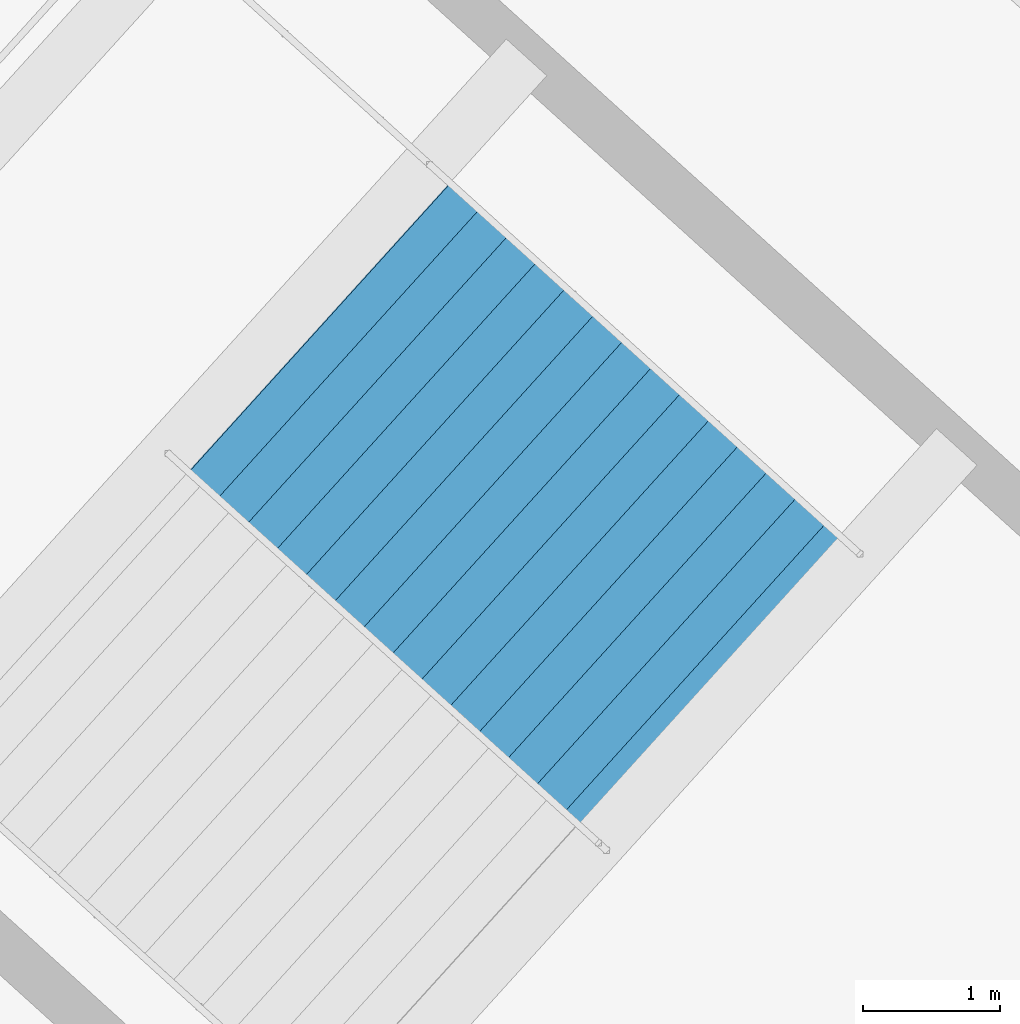
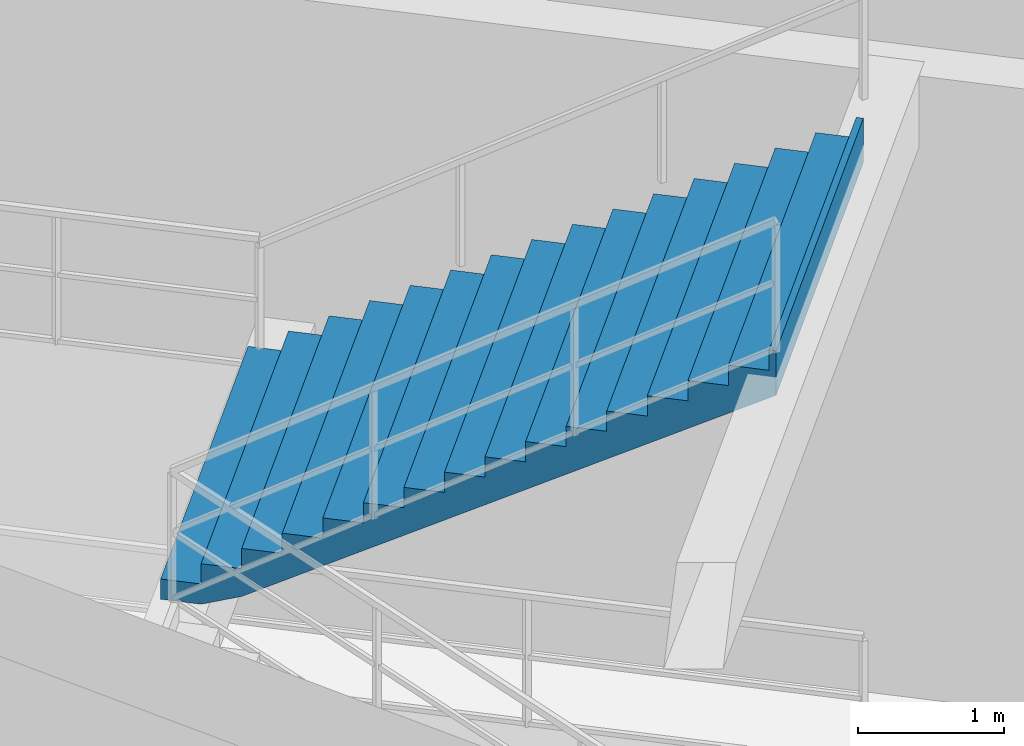
# One storey, part 159 of 162: 1 stair flight, 1 element without a shape of its own.
"""IFC4 building model written with IfcOpenShell, lengths in metres."""

import ifcopenshell
import ifcopenshell.guid

model = None  # the IFC model being written
_history = None  # IfcOwnerHistory: only IFC2X3 demands one
_inside = {}  # id of a spatial element -> (the spatial element, [elements in it])
_under = {}  # id of a project, library or spatial element -> (it, [spatial elements below it])
_declared = {}  # id of a project -> (the project, [libraries it declares])
_typed = {}  # id of a type object -> (the type object, [elements of that type])
_made_of = {}  # id of a material, layer set ... -> (it, [elements and type objects made of it])


def new_model(schema):
    """Start an empty IFC model of exactly this schema.

    Asked for "IFC4X3", IfcOpenShell would pick the latest addendum, in which some entities
    have other attributes; the version numbers below select the first issue.
    IFC2X3 requires an IfcOwnerHistory on every rooted entity: one is made here for all.
    """
    global model, _history
    if schema == "IFC4X3":
        model = ifcopenshell.file(schema_version=(4, 3, 0, 0))
    else:
        model = ifcopenshell.file(schema=schema)
    _inside.clear()
    _under.clear()
    _declared.clear()
    _typed.clear()
    _made_of.clear()
    _history = None
    if model.schema == "IFC2X3":
        org = make("IfcOrganization", Name="unknown")
        user = make(
            "IfcPersonAndOrganization",
            ThePerson=make("IfcPerson", FamilyName="unknown"),
            TheOrganization=org,
        )
        app = make(
            "IfcApplication",
            ApplicationDeveloper=org,
            Version="unknown",
            ApplicationFullName="unknown",
            ApplicationIdentifier="unknown",
        )
        _history = make(
            "IfcOwnerHistory",
            OwningUser=user,
            OwningApplication=app,
            ChangeAction="ADDED",
            CreationDate=0,
        )
    return model


def make(cls, **values):
    """One entity of the class cls with the attributes given. An attribute that is None is left unset."""
    return model.create_entity(
        cls, **{name: value for name, value in values.items() if value is not None}
    )


def rooted(cls, **values):
    """An entity with a GlobalId (a new one), such as an element, a storey or a relation."""
    return make(cls, GlobalId=ifcopenshell.guid.new(), OwnerHistory=_history, **values)


def si_unit(unit_type, name, prefix=None):
    """IfcSIUnit, for example si_unit("LENGTHUNIT", "METRE", prefix="MILLI")."""
    return make("IfcSIUnit", UnitType=unit_type, Prefix=prefix, Name=name)


def assignment(units):
    """IfcUnitAssignment: the units of a project."""
    return None if units is None else make("IfcUnitAssignment", Units=units)


def point(xyz):
    """IfcCartesianPoint."""
    return None if xyz is None else make("IfcCartesianPoint", Coordinates=xyz)


def direction(xyz):
    """IfcDirection."""
    return None if xyz is None else make("IfcDirection", DirectionRatios=xyz)


def frame(location, z_axis=None, x_axis=None):
    """IfcAxis2Placement3D, a coordinate frame: its origin and axes. An axis left out is left unset."""
    return make(
        "IfcAxis2Placement3D",
        Location=point(location),
        Axis=direction(z_axis),
        RefDirection=direction(x_axis),
    )


def origin():
    """The frame at (0, 0, 0) with its axes left unset."""
    return frame((0.0, 0.0, 0.0))


def place(relative_to, where):
    """IfcLocalPlacement: puts the frame where relative to a parent placement (None: the world)."""
    return make(
        "IfcLocalPlacement", PlacementRelTo=relative_to, RelativePlacement=where
    )


def context(
    kind, dimensions, precision=None, world=None, true_north=None, identifier=None
):
    """IfcGeometricRepresentationContext, for example the 3D "Model" context."""
    return make(
        "IfcGeometricRepresentationContext",
        ContextIdentifier=identifier,
        ContextType=kind,
        CoordinateSpaceDimension=dimensions,
        Precision=precision,
        WorldCoordinateSystem=world,
        TrueNorth=true_north,
    )


def subcontext(parent, identifier, kind, view, scale=None):
    """IfcGeometricRepresentationSubContext, for example "Body" below "Model"."""
    return make(
        "IfcGeometricRepresentationSubContext",
        ContextIdentifier=identifier,
        ContextType=kind,
        ParentContext=parent,
        TargetScale=scale,
        TargetView=view,
    )


def project(units=None, contexts=None):
    """IfcProject with its units and contexts."""
    return rooted(
        "IfcProject",
        Name="project",
        RepresentationContexts=contexts,
        UnitsInContext=assignment(units),
    )


def spatial(cls, under=None, at=None, **own):
    """A site, building, storey or space (cls), placed at a placement, below another one or the project."""
    s = rooted(cls, ObjectPlacement=at, **own)
    if under is not None:
        _under.setdefault(under.id(), (under, []))[1].append(s)
    return s


def point_list(points):
    """IfcCartesianPointList2D or 3D."""
    cls = (
        "IfcCartesianPointList2D" if len(points[0]) == 2 else "IfcCartesianPointList3D"
    )
    return make(cls, CoordList=points)


def polygons(points, faces, closed=None, point_numbers=None):
    """IfcPolygonalFaceSet: a face is its outer loop, then its inner loops; points numbered from 1."""
    made = []
    for loops in faces:
        if len(loops) == 1:
            made.append(make("IfcIndexedPolygonalFace", CoordIndex=loops[0]))
        else:
            made.append(
                make(
                    "IfcIndexedPolygonalFaceWithVoids",
                    CoordIndex=loops[0],
                    InnerCoordIndices=loops[1:],
                )
            )
    return make(
        "IfcPolygonalFaceSet",
        Coordinates=point_list(points),
        Closed=closed,
        Faces=made,
        PnIndex=point_numbers,
    )


def shape(context_of_items, identifier, shape_type, items):
    """IfcShapeRepresentation: the items that make up one representation, for example the "Body"."""
    return make(
        "IfcShapeRepresentation",
        ContextOfItems=context_of_items,
        RepresentationIdentifier=identifier,
        RepresentationType=shape_type,
        Items=items,
    )


def material(Name=None, Category=None):
    """IfcMaterial."""
    return make("IfcMaterial", Name=Name, Category=Category)


def made_of(thing, what):
    """Note that an element or type object is made of a material, layer set ...; save() writes the relation."""
    if what is not None:
        _made_of.setdefault(what.id(), (what, []))[1].append(thing)
    return thing


def type_object(cls, material=None, **own):
    """A type object (cls), such as IfcWallType, which elements share."""
    return made_of(rooted(cls, **own), material)


def element(
    cls,
    number,
    at=None,
    inside=None,
    cuts=None,
    type_object=None,
    material=None,
    context=None,
    identifier="Body",
    shape_type=None,
    held_by="IfcProductDefinitionShape",
    body=None,
    shapes=None,
    **own,
):
    """One element of the class cls, such as IfcWall. Its Tag is "e" and its number.

    at: its placement. inside: the storey or other place that contains it. cuts: it is an
    opening in that element (IfcRelVoidsElement). A single representation is given by context,
    identifier, shape_type and body (its items); several are given by shapes. held_by: the class
    of the entity that holds the representations. save() writes the other relations.
    """
    e = rooted(cls, Tag="e%d" % number, ObjectPlacement=at, **own)
    if body is not None:
        shapes = [shape(context, identifier, shape_type, body)]
    if shapes is not None:
        e.Representation = make(held_by, Representations=shapes)
    if inside is not None:
        _inside.setdefault(inside.id(), (inside, []))[1].append(e)
    if cuts is not None:
        rooted(
            "IfcRelVoidsElement", RelatingBuildingElement=cuts, RelatedOpeningElement=e
        )
    if type_object is not None:
        _typed.setdefault(type_object.id(), (type_object, []))[1].append(e)
    return made_of(e, material)


def aggregate(whole, parts):
    """IfcRelAggregates: a whole, such as a stair, and the parts it consists of."""
    return rooted("IfcRelAggregates", RelatingObject=whole, RelatedObjects=parts)


def save(model, path):
    """Write the relations noted so far, then the file.

    IfcRelAggregates (storeys below a building ...), IfcRelContainedInSpatialStructure (elements
    in a storey), IfcRelDefinesByType, IfcRelAssociatesMaterial and IfcRelDeclares: one each for
    every whole, place, type object, material and project.
    """
    for whole, parts in _under.values():
        aggregate(whole, parts)
    for where, things in _inside.values():
        rooted(
            "IfcRelContainedInSpatialStructure",
            RelatedElements=things,
            RelatingStructure=where,
        )
    for kind, things in _typed.values():
        rooted("IfcRelDefinesByType", RelatedObjects=things, RelatingType=kind)
    for what, things in _made_of.values():
        rooted("IfcRelAssociatesMaterial", RelatedObjects=things, RelatingMaterial=what)
    for by, libraries in _declared.values():
        rooted("IfcRelDeclares", RelatingContext=by, RelatedDefinitions=libraries)
    model.write(path)


model = new_model("IFC4")

# Units and contexts
model_context = context("Model", 3, precision=1e-05, world=origin(), true_north=direction((0.0, 1.0)))
body_context = subcontext(model_context, "Body", "Model", "MODEL_VIEW")
ifc_project = project(units=[si_unit("LENGTHUNIT", "METRE"), si_unit("AREAUNIT", "SQUARE_METRE"), si_unit("VOLUMEUNIT", "CUBIC_METRE"), si_unit("PLANEANGLEUNIT", "RADIAN"), si_unit("MASSUNIT", "GRAM", prefix="KILO")], contexts=[model_context])

# Site, building, storey
site_placement = place(None, origin())
site = spatial("IfcSite", under=ifc_project, at=site_placement, CompositionType="ELEMENT")
building_placement = place(site_placement, origin())
building = spatial("IfcBuilding", under=site, at=building_placement, Name="Kazemori Nagisa Stadium", CompositionType="ELEMENT")
storey_placement = place(building_placement, frame((0.0, 0.0, 36.719970703125)))
storey = spatial("IfcBuildingStorey", under=building, at=storey_placement, Name="RF", CompositionType="ELEMENT", Elevation=36.719970703125)

# Stair, stair flight
ifc_material = material(Name="Concrete C36/45 (Fc36)", Category="concrete")
stair_type = type_object("IfcStairType", Name="Stair_CORE_32", PredefinedType="TWO_STRAIGHT_RUN_STAIR", material=ifc_material)
stair_placement = place(storey_placement, origin())
stair = element("IfcStair", 1, at=stair_placement, inside=storey, type_object=stair_type, Name="Exit stair ST01 RF", PredefinedType="TWO_STRAIGHT_RUN_STAIR")
stair_flight_type = type_object("IfcStairFlightType", Name="Flight_CORE_16", PredefinedType="STRAIGHT", material=ifc_material)
stair_flight_placement = place(storey_placement, frame((190.5390625, 161.406005859375, 2.719970703125), z_axis=(0.0, 0.0, 1.0), x_axis=(0.741357156534, -0.671110696127, 0.0)))
stair_flight = element("IfcStairFlight", 2, at=stair_flight_placement, type_object=stair_flight_type, Name="Exit stair ST01 RF flight 2", NumberOfRisers=16, NumberOfTreads=15, PredefinedType="STRAIGHT", RiserHeight=0.17, TreadLength=0.285, context=body_context, shape_type="Tessellation", body=[
    polygons([(0.0, -1.425048828125, 0.0), (0.0, -1.425048828125, 0.169921875), (0.284912109375, -1.425048828125, 0.169921875), (0.284912109375, -1.425048828125, 0.340087890625), (0.570068359375, -1.425048828125, 0.340087890625), (0.570068359375, -1.425048828125, 0.510009765625), (0.85498046875, -1.425048828125, 0.510009765625), (0.85498046875, -1.425048828125, 0.679931640625), (1.139892578125, -1.425048828125, 0.679931640625), (1.139892578125, -1.425048828125, 0.85009765625), (1.425048828125, -1.425048828125, 0.85009765625), (1.425048828125, -1.425048828125, 1.02001953125), (1.7099609375, -1.425048828125, 1.02001953125), (1.7099609375, -1.425048828125, 1.18994140625), (1.9951171875, -1.425048828125, 1.18994140625), (1.9951171875, -1.425048828125, 1.360107421875), (2.280029296875, -1.425048828125, 1.360107421875), (2.280029296875, -1.425048828125, 1.530029296875), (2.56494140625, -1.425048828125, 1.530029296875), (2.56494140625, -1.425048828125, 1.699951171875), (2.85009765625, -1.425048828125, 1.699951171875), (2.85009765625, -1.425048828125, 1.8701171875), (3.135009765625, -1.425048828125, 1.8701171875), (3.135009765625, -1.425048828125, 2.0400390625), (3.419921875, -1.425048828125, 2.0400390625), (3.419921875, -1.425048828125, 2.2099609375), (3.705078125, -1.425048828125, 2.2099609375), (3.705078125, -1.425048828125, 2.3798828125), (3.989990234375, -1.425048828125, 2.3798828125), (3.989990234375, -1.425048828125, 2.550048828125), (4.27490234375, -1.425048828125, 2.550048828125), (4.27490234375, -1.425048828125, 2.719970703125), (4.324951171875, -1.425048828125, 2.719970703125), (4.324951171875, -1.425048828125, 2.346923828125), (4.27490234375, -1.425048828125, 2.317138671875), (3.989990234375, -1.425048828125, 2.147216796875), (3.705078125, -1.425048828125, 1.977294921875), (3.419921875, -1.425048828125, 1.80712890625), (3.135009765625, -1.425048828125, 1.63720703125), (2.85009765625, -1.425048828125, 1.46728515625), (2.56494140625, -1.425048828125, 1.297119140625), (2.280029296875, -1.425048828125, 1.127197265625), (1.9951171875, -1.425048828125, 0.957275390625), (1.7099609375, -1.425048828125, 0.787109375), (1.425048828125, -1.425048828125, 0.6171875), (1.139892578125, -1.425048828125, 0.447265625), (0.85498046875, -1.425048828125, 0.277099609375), (0.570068359375, -1.425048828125, 0.107177734375), (0.284912109375, -1.425048828125, 0.0), (0.0, -0.08544921875, 0.0), (0.0, -0.08544921875, 0.169921875), (0.284912109375, -0.08544921875, 0.169921875), (0.284912109375, -0.08544921875, 0.340087890625), (0.570068359375, -0.08544921875, 0.340087890625), (0.570068359375, -0.08544921875, 0.510009765625), (0.85498046875, -0.08544921875, 0.510009765625), (0.85498046875, -0.08544921875, 0.679931640625), (1.139892578125, -0.08544921875, 0.679931640625), (1.139892578125, -0.08544921875, 0.85009765625), (1.425048828125, -0.08544921875, 0.85009765625), (1.425048828125, -0.08544921875, 1.02001953125), (1.7099609375, -0.08544921875, 1.02001953125), (1.7099609375, -0.08544921875, 1.18994140625), (1.9951171875, -0.08544921875, 1.18994140625), (1.9951171875, -0.08544921875, 1.360107421875), (2.280029296875, -0.08544921875, 1.360107421875), (2.280029296875, -0.08544921875, 1.530029296875), (2.56494140625, -0.08544921875, 1.530029296875), (2.56494140625, -0.08544921875, 1.699951171875), (2.85009765625, -0.08544921875, 1.699951171875), (2.85009765625, -0.08544921875, 1.8701171875), (3.135009765625, -0.08544921875, 1.8701171875), (3.135009765625, -0.08544921875, 2.0400390625), (3.419921875, -0.08544921875, 2.0400390625), (3.419921875, -0.08544921875, 2.2099609375), (3.705078125, -0.08544921875, 2.2099609375), (3.705078125, -0.08544921875, 2.3798828125), (3.989990234375, -0.08544921875, 2.3798828125), (3.989990234375, -0.08544921875, 2.550048828125), (4.27490234375, -0.08544921875, 2.550048828125), (4.27490234375, -0.08544921875, 2.719970703125), (4.324951171875, -0.08544921875, 2.719970703125), (4.324951171875, -0.08544921875, 2.346923828125), (4.27490234375, -0.08544921875, 2.317138671875), (3.989990234375, -0.08544921875, 2.147216796875), (3.705078125, -0.08544921875, 1.977294921875), (3.419921875, -0.08544921875, 1.80712890625), (3.135009765625, -0.08544921875, 1.63720703125), (2.85009765625, -0.08544921875, 1.46728515625), (2.56494140625, -0.08544921875, 1.297119140625), (2.280029296875, -0.08544921875, 1.127197265625), (1.9951171875, -0.08544921875, 0.957275390625), (1.7099609375, -0.08544921875, 0.787109375), (1.425048828125, -0.08544921875, 0.6171875), (1.139892578125, -0.08544921875, 0.447265625), (0.85498046875, -0.08544921875, 0.277099609375), (0.570068359375, -0.08544921875, 0.107177734375), (0.284912109375, -0.08544921875, 0.0), (0.0, 0.0, 0.0), (0.0, 0.0, 0.169921875), (0.284912109375, 0.0, 0.169921875), (0.284912109375, 0.0, 0.340087890625), (0.570068359375, 0.0, 0.340087890625), (0.570068359375, 0.0, 0.510009765625), (0.85498046875, 0.0, 0.510009765625), (0.85498046875, 0.0, 0.679931640625), (1.139892578125, 0.0, 0.679931640625), (1.139892578125, 0.0, 0.85009765625), (1.425048828125, 0.0, 0.85009765625), (1.425048828125, 0.0, 1.02001953125), (1.7099609375, 0.0, 1.02001953125), (1.7099609375, 0.0, 1.18994140625), (1.9951171875, 0.0, 1.18994140625), (1.9951171875, 0.0, 1.360107421875), (2.280029296875, 0.0, 1.360107421875), (2.280029296875, 0.0, 1.530029296875), (2.56494140625, 0.0, 1.530029296875), (2.56494140625, 0.0, 1.699951171875), (2.85009765625, 0.0, 1.699951171875), (2.85009765625, 0.0, 1.8701171875), (3.135009765625, 0.0, 1.8701171875), (3.135009765625, 0.0, 2.0400390625), (3.419921875, 0.0, 2.0400390625), (3.419921875, 0.0, 2.2099609375), (3.705078125, 0.0, 2.2099609375), (3.705078125, 0.0, 2.3798828125), (3.989990234375, 0.0, 2.3798828125), (3.989990234375, 0.0, 2.550048828125), (4.27490234375, 0.0, 2.550048828125), (4.27490234375, 0.0, 2.719970703125), (4.324951171875, 0.0, 2.719970703125), (4.324951171875, 0.0, 2.346923828125), (4.27490234375, 0.0, 2.317138671875), (3.989990234375, 0.0, 2.147216796875), (3.705078125, 0.0, 1.977294921875), (3.419921875, 0.0, 1.80712890625), (3.135009765625, 0.0, 1.63720703125), (2.85009765625, 0.0, 1.46728515625), (2.56494140625, 0.0, 1.297119140625), (2.280029296875, 0.0, 1.127197265625), (1.9951171875, 0.0, 0.957275390625), (1.7099609375, 0.0, 0.787109375), (1.425048828125, 0.0, 0.6171875), (1.139892578125, 0.0, 0.447265625), (0.85498046875, 0.0, 0.277099609375), (0.570068359375, 0.0, 0.107177734375), (0.284912109375, 0.0, 0.0), (0.0, 0.08544921875, 0.0), (0.0, 0.08544921875, 0.169921875), (0.284912109375, 0.08544921875, 0.169921875), (0.284912109375, 0.08544921875, 0.340087890625), (0.570068359375, 0.08544921875, 0.340087890625), (0.570068359375, 0.08544921875, 0.510009765625), (0.85498046875, 0.08544921875, 0.510009765625), (0.85498046875, 0.08544921875, 0.679931640625), (1.139892578125, 0.08544921875, 0.679931640625), (1.139892578125, 0.08544921875, 0.85009765625), (1.425048828125, 0.08544921875, 0.85009765625), (1.425048828125, 0.08544921875, 1.02001953125), (1.7099609375, 0.08544921875, 1.02001953125), (1.7099609375, 0.08544921875, 1.18994140625), (1.9951171875, 0.08544921875, 1.18994140625), (1.9951171875, 0.08544921875, 1.360107421875), (2.280029296875, 0.08544921875, 1.360107421875), (2.280029296875, 0.08544921875, 1.530029296875), (2.56494140625, 0.08544921875, 1.530029296875), (2.56494140625, 0.08544921875, 1.699951171875), (2.85009765625, 0.08544921875, 1.699951171875), (2.85009765625, 0.08544921875, 1.8701171875), (3.135009765625, 0.08544921875, 1.8701171875), (3.135009765625, 0.08544921875, 2.0400390625), (3.419921875, 0.08544921875, 2.0400390625), (3.419921875, 0.08544921875, 2.2099609375), (3.705078125, 0.08544921875, 2.2099609375), (3.705078125, 0.08544921875, 2.3798828125), (3.989990234375, 0.08544921875, 2.3798828125), (3.989990234375, 0.08544921875, 2.550048828125), (4.27490234375, 0.08544921875, 2.550048828125), (4.27490234375, 0.08544921875, 2.719970703125), (4.324951171875, 0.08544921875, 2.719970703125), (4.324951171875, 0.08544921875, 2.346923828125), (4.27490234375, 0.08544921875, 2.317138671875), (3.989990234375, 0.08544921875, 2.147216796875), (3.705078125, 0.08544921875, 1.977294921875), (3.419921875, 0.08544921875, 1.80712890625), (3.135009765625, 0.08544921875, 1.63720703125), (2.85009765625, 0.08544921875, 1.46728515625), (2.56494140625, 0.08544921875, 1.297119140625), (2.280029296875, 0.08544921875, 1.127197265625), (1.9951171875, 0.08544921875, 0.957275390625), (1.7099609375, 0.08544921875, 0.787109375), (1.425048828125, 0.08544921875, 0.6171875), (1.139892578125, 0.08544921875, 0.447265625), (0.85498046875, 0.08544921875, 0.277099609375), (0.570068359375, 0.08544921875, 0.107177734375), (0.284912109375, 0.08544921875, 0.0), (0.0, 1.425048828125, 0.0), (0.0, 1.425048828125, 0.169921875), (0.284912109375, 1.425048828125, 0.169921875), (0.284912109375, 1.425048828125, 0.340087890625), (0.570068359375, 1.425048828125, 0.340087890625), (0.570068359375, 1.425048828125, 0.510009765625), (0.85498046875, 1.425048828125, 0.510009765625), (0.85498046875, 1.425048828125, 0.679931640625), (1.139892578125, 1.425048828125, 0.679931640625), (1.139892578125, 1.425048828125, 0.85009765625), (1.425048828125, 1.425048828125, 0.85009765625), (1.425048828125, 1.425048828125, 1.02001953125), (1.7099609375, 1.425048828125, 1.02001953125), (1.7099609375, 1.425048828125, 1.18994140625), (1.9951171875, 1.425048828125, 1.18994140625), (1.9951171875, 1.425048828125, 1.360107421875), (2.280029296875, 1.425048828125, 1.360107421875), (2.280029296875, 1.425048828125, 1.530029296875), (2.56494140625, 1.425048828125, 1.530029296875), (2.56494140625, 1.425048828125, 1.699951171875), (2.85009765625, 1.425048828125, 1.699951171875), (2.85009765625, 1.425048828125, 1.8701171875), (3.135009765625, 1.425048828125, 1.8701171875), (3.135009765625, 1.425048828125, 2.0400390625), (3.419921875, 1.425048828125, 2.0400390625), (3.419921875, 1.425048828125, 2.2099609375), (3.705078125, 1.425048828125, 2.2099609375), (3.705078125, 1.425048828125, 2.3798828125), (3.989990234375, 1.425048828125, 2.3798828125), (3.989990234375, 1.425048828125, 2.550048828125), (4.27490234375, 1.425048828125, 2.550048828125), (4.27490234375, 1.425048828125, 2.719970703125), (4.324951171875, 1.425048828125, 2.719970703125), (4.324951171875, 1.425048828125, 2.346923828125), (4.27490234375, 1.425048828125, 2.317138671875), (3.989990234375, 1.425048828125, 2.147216796875), (3.705078125, 1.425048828125, 1.977294921875), (3.419921875, 1.425048828125, 1.80712890625), (3.135009765625, 1.425048828125, 1.63720703125), (2.85009765625, 1.425048828125, 1.46728515625), (2.56494140625, 1.425048828125, 1.297119140625), (2.280029296875, 1.425048828125, 1.127197265625), (1.9951171875, 1.425048828125, 0.957275390625), (1.7099609375, 1.425048828125, 0.787109375), (1.425048828125, 1.425048828125, 0.6171875), (1.139892578125, 1.425048828125, 0.447265625), (0.85498046875, 1.425048828125, 0.277099609375), (0.570068359375, 1.425048828125, 0.107177734375), (0.284912109375, 1.425048828125, 0.0)], [[[1, 2, 51]], [[1, 51, 50]], [[2, 3, 52]], [[2, 52, 51]], [[3, 4, 53]], [[3, 53, 52]], [[4, 5, 54]], [[4, 54, 53]], [[5, 6, 55]], [[5, 55, 54]], [[6, 7, 56]], [[6, 56, 55]], [[7, 8, 57]], [[7, 57, 56]], [[8, 9, 58]], [[8, 58, 57]], [[9, 10, 59]], [[9, 59, 58]], [[10, 11, 60]], [[10, 60, 59]], [[11, 12, 61]], [[11, 61, 60]], [[12, 13, 62]], [[12, 62, 61]], [[13, 14, 63]], [[13, 63, 62]], [[14, 15, 64]], [[14, 64, 63]], [[15, 16, 65]], [[15, 65, 64]], [[16, 17, 66]], [[16, 66, 65]], [[17, 18, 67]], [[17, 67, 66]], [[18, 19, 68]], [[18, 68, 67]], [[19, 20, 69]], [[19, 69, 68]], [[20, 21, 70]], [[20, 70, 69]], [[21, 22, 71]], [[21, 71, 70]], [[22, 23, 72]], [[22, 72, 71]], [[23, 24, 73]], [[23, 73, 72]], [[24, 25, 74]], [[24, 74, 73]], [[25, 26, 75]], [[25, 75, 74]], [[26, 27, 76]], [[26, 76, 75]], [[27, 28, 77]], [[27, 77, 76]], [[28, 29, 78]], [[28, 78, 77]], [[29, 30, 79]], [[29, 79, 78]], [[30, 31, 80]], [[30, 80, 79]], [[31, 32, 81]], [[31, 81, 80]], [[32, 33, 82]], [[32, 82, 81]], [[33, 34, 83]], [[33, 83, 82]], [[34, 35, 84]], [[34, 84, 83]], [[35, 36, 85]], [[35, 85, 84]], [[36, 37, 86]], [[36, 86, 85]], [[37, 38, 87]], [[37, 87, 86]], [[38, 39, 88]], [[38, 88, 87]], [[39, 40, 89]], [[39, 89, 88]], [[40, 41, 90]], [[40, 90, 89]], [[41, 42, 91]], [[41, 91, 90]], [[42, 43, 92]], [[42, 92, 91]], [[43, 44, 93]], [[43, 93, 92]], [[44, 45, 94]], [[44, 94, 93]], [[45, 46, 95]], [[45, 95, 94]], [[46, 47, 96]], [[46, 96, 95]], [[47, 48, 97]], [[47, 97, 96]], [[48, 49, 98]], [[48, 98, 97]], [[49, 1, 50]], [[49, 50, 98]], [[50, 51, 100]], [[50, 100, 99]], [[51, 52, 101]], [[51, 101, 100]], [[52, 53, 102]], [[52, 102, 101]], [[53, 54, 103]], [[53, 103, 102]], [[54, 55, 104]], [[54, 104, 103]], [[55, 56, 105]], [[55, 105, 104]], [[56, 57, 106]], [[56, 106, 105]], [[57, 58, 107]], [[57, 107, 106]], [[58, 59, 108]], [[58, 108, 107]], [[59, 60, 109]], [[59, 109, 108]], [[60, 61, 110]], [[60, 110, 109]], [[61, 62, 111]], [[61, 111, 110]], [[62, 63, 112]], [[62, 112, 111]], [[63, 64, 113]], [[63, 113, 112]], [[64, 65, 114]], [[64, 114, 113]], [[65, 66, 115]], [[65, 115, 114]], [[66, 67, 116]], [[66, 116, 115]], [[67, 68, 117]], [[67, 117, 116]], [[68, 69, 118]], [[68, 118, 117]], [[69, 70, 119]], [[69, 119, 118]], [[70, 71, 120]], [[70, 120, 119]], [[71, 72, 121]], [[71, 121, 120]], [[72, 73, 122]], [[72, 122, 121]], [[73, 74, 123]], [[73, 123, 122]], [[74, 75, 124]], [[74, 124, 123]], [[75, 76, 125]], [[75, 125, 124]], [[76, 77, 126]], [[76, 126, 125]], [[77, 78, 127]], [[77, 127, 126]], [[78, 79, 128]], [[78, 128, 127]], [[79, 80, 129]], [[79, 129, 128]], [[80, 81, 130]], [[80, 130, 129]], [[81, 82, 131]], [[81, 131, 130]], [[82, 83, 132]], [[82, 132, 131]], [[83, 84, 133]], [[83, 133, 132]], [[84, 85, 134]], [[84, 134, 133]], [[85, 86, 135]], [[85, 135, 134]], [[86, 87, 136]], [[86, 136, 135]], [[87, 88, 137]], [[87, 137, 136]], [[88, 89, 138]], [[88, 138, 137]], [[89, 90, 139]], [[89, 139, 138]], [[90, 91, 140]], [[90, 140, 139]], [[91, 92, 141]], [[91, 141, 140]], [[92, 93, 142]], [[92, 142, 141]], [[93, 94, 143]], [[93, 143, 142]], [[94, 95, 144]], [[94, 144, 143]], [[95, 96, 145]], [[95, 145, 144]], [[96, 97, 146]], [[96, 146, 145]], [[97, 98, 147]], [[97, 147, 146]], [[98, 50, 99]], [[98, 99, 147]], [[99, 100, 149]], [[99, 149, 148]], [[100, 101, 150]], [[100, 150, 149]], [[101, 102, 151]], [[101, 151, 150]], [[102, 103, 152]], [[102, 152, 151]], [[103, 104, 153]], [[103, 153, 152]], [[104, 105, 154]], [[104, 154, 153]], [[105, 106, 155]], [[105, 155, 154]], [[106, 107, 156]], [[106, 156, 155]], [[107, 108, 157]], [[107, 157, 156]], [[108, 109, 158]], [[108, 158, 157]], [[109, 110, 159]], [[109, 159, 158]], [[110, 111, 160]], [[110, 160, 159]], [[111, 112, 161]], [[111, 161, 160]], [[112, 113, 162]], [[112, 162, 161]], [[113, 114, 163]], [[113, 163, 162]], [[114, 115, 164]], [[114, 164, 163]], [[115, 116, 165]], [[115, 165, 164]], [[116, 117, 166]], [[116, 166, 165]], [[117, 118, 167]], [[117, 167, 166]], [[118, 119, 168]], [[118, 168, 167]], [[119, 120, 169]], [[119, 169, 168]], [[120, 121, 170]], [[120, 170, 169]], [[121, 122, 171]], [[121, 171, 170]], [[122, 123, 172]], [[122, 172, 171]], [[123, 124, 173]], [[123, 173, 172]], [[124, 125, 174]], [[124, 174, 173]], [[125, 126, 175]], [[125, 175, 174]], [[126, 127, 176]], [[126, 176, 175]], [[127, 128, 177]], [[127, 177, 176]], [[128, 129, 178]], [[128, 178, 177]], [[129, 130, 179]], [[129, 179, 178]], [[130, 131, 180]], [[130, 180, 179]], [[131, 132, 181]], [[131, 181, 180]], [[132, 133, 182]], [[132, 182, 181]], [[133, 134, 183]], [[133, 183, 182]], [[134, 135, 184]], [[134, 184, 183]], [[135, 136, 185]], [[135, 185, 184]], [[136, 137, 186]], [[136, 186, 185]], [[137, 138, 187]], [[137, 187, 186]], [[138, 139, 188]], [[138, 188, 187]], [[139, 140, 189]], [[139, 189, 188]], [[140, 141, 190]], [[140, 190, 189]], [[141, 142, 191]], [[141, 191, 190]], [[142, 143, 192]], [[142, 192, 191]], [[143, 144, 193]], [[143, 193, 192]], [[144, 145, 194]], [[144, 194, 193]], [[145, 146, 195]], [[145, 195, 194]], [[146, 147, 196]], [[146, 196, 195]], [[147, 99, 148]], [[147, 148, 196]], [[148, 149, 198]], [[148, 198, 197]], [[149, 150, 199]], [[149, 199, 198]], [[150, 151, 200]], [[150, 200, 199]], [[151, 152, 201]], [[151, 201, 200]], [[152, 153, 202]], [[152, 202, 201]], [[153, 154, 203]], [[153, 203, 202]], [[154, 155, 204]], [[154, 204, 203]], [[155, 156, 205]], [[155, 205, 204]], [[156, 157, 206]], [[156, 206, 205]], [[157, 158, 207]], [[157, 207, 206]], [[158, 159, 208]], [[158, 208, 207]], [[159, 160, 209]], [[159, 209, 208]], [[160, 161, 210]], [[160, 210, 209]], [[161, 162, 211]], [[161, 211, 210]], [[162, 163, 212]], [[162, 212, 211]], [[163, 164, 213]], [[163, 213, 212]], [[164, 165, 214]], [[164, 214, 213]], [[165, 166, 215]], [[165, 215, 214]], [[166, 167, 216]], [[166, 216, 215]], [[167, 168, 217]], [[167, 217, 216]], [[168, 169, 218]], [[168, 218, 217]], [[169, 170, 219]], [[169, 219, 218]], [[170, 171, 220]], [[170, 220, 219]], [[171, 172, 221]], [[171, 221, 220]], [[172, 173, 222]], [[172, 222, 221]], [[173, 174, 223]], [[173, 223, 222]], [[174, 175, 224]], [[174, 224, 223]], [[175, 176, 225]], [[175, 225, 224]], [[176, 177, 226]], [[176, 226, 225]], [[177, 178, 227]], [[177, 227, 226]], [[178, 179, 228]], [[178, 228, 227]], [[179, 180, 229]], [[179, 229, 228]], [[180, 181, 230]], [[180, 230, 229]], [[181, 182, 231]], [[181, 231, 230]], [[182, 183, 232]], [[182, 232, 231]], [[183, 184, 233]], [[183, 233, 232]], [[184, 185, 234]], [[184, 234, 233]], [[185, 186, 235]], [[185, 235, 234]], [[186, 187, 236]], [[186, 236, 235]], [[187, 188, 237]], [[187, 237, 236]], [[188, 189, 238]], [[188, 238, 237]], [[189, 190, 239]], [[189, 239, 238]], [[190, 191, 240]], [[190, 240, 239]], [[191, 192, 241]], [[191, 241, 240]], [[192, 193, 242]], [[192, 242, 241]], [[193, 194, 243]], [[193, 243, 242]], [[194, 195, 244]], [[194, 244, 243]], [[195, 196, 245]], [[195, 245, 244]], [[196, 148, 197]], [[196, 197, 245]], [[3, 2, 1]], [[197, 198, 199]], [[49, 3, 1]], [[197, 199, 245]], [[48, 3, 49]], [[245, 199, 244]], [[5, 3, 48]], [[244, 199, 201]], [[5, 4, 3]], [[199, 200, 201]], [[47, 5, 48]], [[244, 201, 243]], [[7, 5, 47]], [[243, 201, 203]], [[7, 6, 5]], [[201, 202, 203]], [[46, 7, 47]], [[243, 203, 242]], [[9, 7, 46]], [[242, 203, 205]], [[9, 8, 7]], [[203, 204, 205]], [[45, 9, 46]], [[242, 205, 241]], [[11, 9, 45]], [[241, 205, 207]], [[11, 10, 9]], [[205, 206, 207]], [[44, 11, 45]], [[241, 207, 240]], [[13, 11, 44]], [[240, 207, 209]], [[13, 12, 11]], [[207, 208, 209]], [[43, 13, 44]], [[240, 209, 239]], [[15, 13, 43]], [[239, 209, 211]], [[15, 14, 13]], [[209, 210, 211]], [[42, 15, 43]], [[239, 211, 238]], [[17, 15, 42]], [[238, 211, 213]], [[17, 16, 15]], [[211, 212, 213]], [[41, 17, 42]], [[238, 213, 237]], [[19, 17, 41]], [[237, 213, 215]], [[19, 18, 17]], [[213, 214, 215]], [[40, 19, 41]], [[237, 215, 236]], [[21, 19, 40]], [[236, 215, 217]], [[21, 20, 19]], [[215, 216, 217]], [[39, 21, 40]], [[236, 217, 235]], [[23, 21, 39]], [[235, 217, 219]], [[23, 22, 21]], [[217, 218, 219]], [[38, 23, 39]], [[235, 219, 234]], [[25, 23, 38]], [[234, 219, 221]], [[25, 24, 23]], [[219, 220, 221]], [[37, 25, 38]], [[234, 221, 233]], [[27, 25, 37]], [[233, 221, 223]], [[27, 26, 25]], [[221, 222, 223]], [[36, 27, 37]], [[233, 223, 232]], [[29, 27, 36]], [[232, 223, 225]], [[29, 28, 27]], [[223, 224, 225]], [[35, 29, 36]], [[232, 225, 231]], [[31, 29, 35]], [[231, 225, 227]], [[31, 30, 29]], [[225, 226, 227]], [[34, 31, 35]], [[231, 227, 230]], [[33, 31, 34]], [[230, 227, 229]], [[33, 32, 31]], [[227, 228, 229]]], closed=True),
])
aggregate(stair, [stair_flight])

save(model, "model.ifc")
